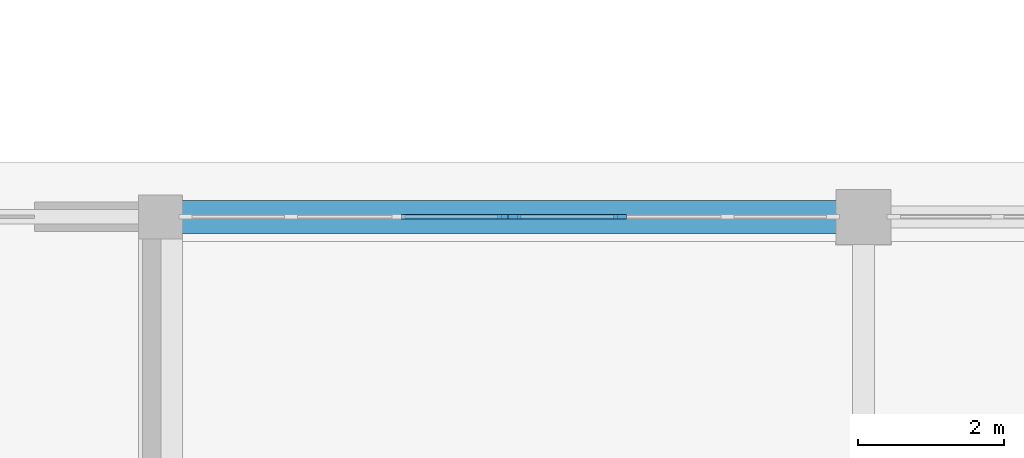
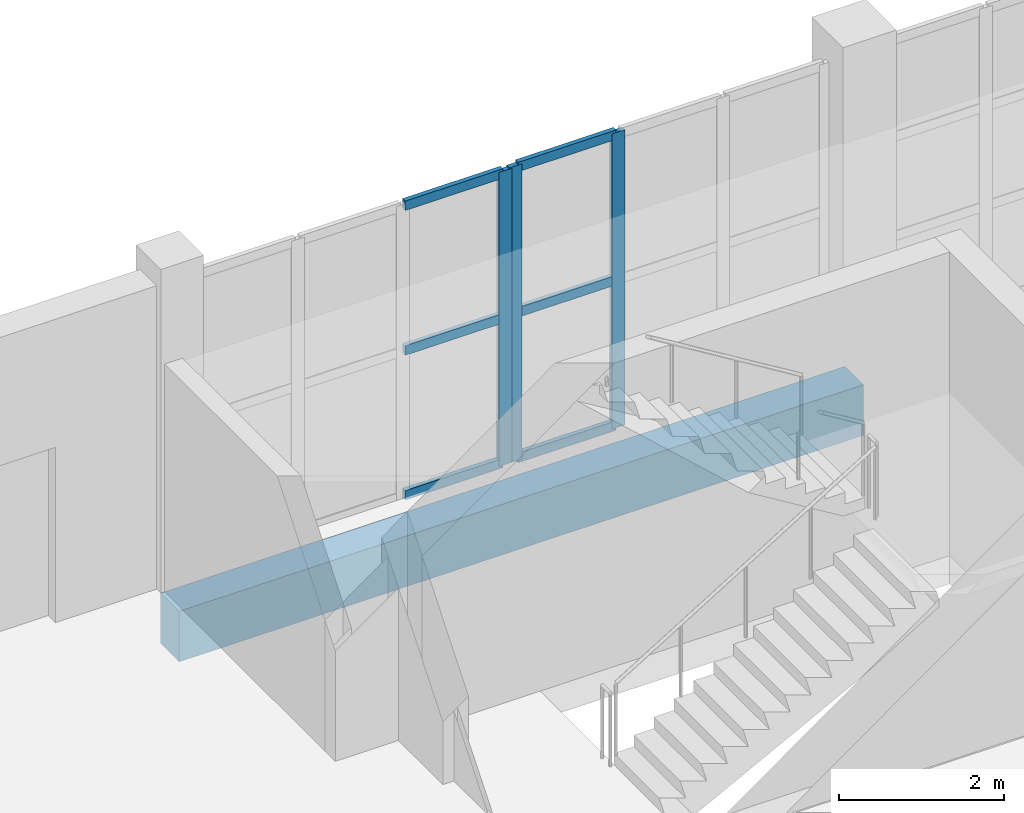
# One storey, part 27 of 121: 9 members, 1 beam, 2 elements without a shape of their own.
"""IFC4 building model written with IfcOpenShell, lengths in metres."""

from ifc_helpers import new_model, si_unit, direction, frame, origin, origin_2d, place, context, subcontext, project, spatial, rectangle, extrude, material, layer, layer_set, material_profile, profile_set, type_object, element, aggregate, save


model = new_model("IFC4")

# Units and contexts
model_context = context("Model", 3, precision=1e-05, world=origin(), true_north=direction((0.0, 1.0)))
body_context = subcontext(model_context, "Body", "Model", "MODEL_VIEW")
ifc_project = project(units=[si_unit("LENGTHUNIT", "METRE"), si_unit("AREAUNIT", "SQUARE_METRE"), si_unit("VOLUMEUNIT", "CUBIC_METRE"), si_unit("PLANEANGLEUNIT", "RADIAN"), si_unit("MASSUNIT", "GRAM", prefix="KILO")], contexts=[model_context])

# Site, building, storey
site_placement = place(None, origin())
site = spatial("IfcSite", under=ifc_project, at=site_placement, CompositionType="ELEMENT")
building_placement = place(site_placement, origin())
building = spatial("IfcBuilding", under=site, at=building_placement, Name="Zereglee Splitstone Museum", CompositionType="ELEMENT")
storey_placement = place(building_placement, origin())
storey = spatial("IfcBuildingStorey", under=building, at=storey_placement, Name="L00", CompositionType="ELEMENT", Elevation=0.0)

# Curtain wall, members
ifc_material_1 = material(Name="Triple-glazed low-E argon glass and bronze-anodised aluminium", Category="aluminium")
ifc_layer_1 = layer(ifc_material_1, 0.179931640625)
ifc_layer_set_1 = layer_set([ifc_layer_1], Name="Triple-glazed low-E argon glass and bronze-anodised aluminium")
curtain_wall_type_1 = type_object("IfcCurtainWallType", Name="CW-0441-438", PredefinedType="USERDEFINED", material=ifc_layer_set_1)
curtain_wall_1_placement = place(storey_placement, origin())
curtain_wall_1 = element("IfcCurtainWall", 1, at=curtain_wall_1_placement, inside=storey, type_object=curtain_wall_type_1, Name="Glazed Curtain Wall CW-0441-438 (L00)", ObjectType="GLAZED CURTAIN WALL", PredefinedType="USERDEFINED")
ifc_material_2 = material(Name="Thermally broken bronze-anodised aluminium", Category="aluminium")
ifc_material_profile_1 = material_profile(ifc_material_2, rectangle(XDim=0.06494140625, YDim=0.179931640625, at=origin_2d()), Name="CW MULL 65x180")
ifc_profile_set_1 = profile_set([ifc_material_profile_1], Name="Thermally broken bronze-anodised aluminium")
member_type_1 = type_object("IfcMemberType", Name="CWM-01", PredefinedType="MULLION", material=ifc_profile_set_1)
member_1_placement = place(storey_placement, frame((132.27392578125, 50.39990234375, 0.0), z_axis=(0.0, 0.0, 1.0), x_axis=(0.0, -1.0, 0.0)))
member_1 = element("IfcMember", 2, at=member_1_placement, type_object=member_type_1, Name="CW-0441-438 mullion 3", PredefinedType="MULLION", context=body_context, shape_type="SweptSolid", body=[
    extrude(rectangle(XDim=0.06494140625, YDim=0.179931640625, at=origin_2d()), origin(), (0.0, 0.0, 1.0), 4.3798828125),
])
member_2_placement = place(storey_placement, frame((130.8349609375, 50.39990234375, 0.0), z_axis=(0.0, 0.0, 1.0), x_axis=(0.0, -1.0, 0.0)))
member_2 = element("IfcMember", 3, at=member_2_placement, type_object=member_type_1, Name="CW-0441-438 mullion 4", PredefinedType="MULLION", context=body_context, shape_type="SweptSolid", body=[
    extrude(rectangle(XDim=0.06494140625, YDim=0.179931640625, at=origin_2d()), origin(), (0.0, 0.0, 1.0), 4.3798828125),
])

# Curtain wall, member
ifc_layer_2 = layer(ifc_material_1, 0.179931640625)
ifc_layer_set_2 = layer_set([ifc_layer_2], Name="Triple-glazed low-E argon glass and bronze-anodised aluminium")
curtain_wall_type_2 = type_object("IfcCurtainWallType", Name="CW-0441-436", PredefinedType="USERDEFINED", material=ifc_layer_set_2)
curtain_wall_2_placement = place(storey_placement, origin())
curtain_wall_2 = element("IfcCurtainWall", 4, at=curtain_wall_2_placement, inside=storey, type_object=curtain_wall_type_2, Name="Glazed Curtain Wall CW-0441-436 (L00)", ObjectType="GLAZED CURTAIN WALL", PredefinedType="USERDEFINED")
member_3_placement = place(storey_placement, frame((130.68994140625, 50.39990234375, 0.0), z_axis=(0.0, 0.0, 1.0), x_axis=(0.0, -1.0, 0.0)))
member_3 = element("IfcMember", 5, at=member_3_placement, type_object=member_type_1, Name="CW-0441-436 mullion 1", PredefinedType="MULLION", context=body_context, shape_type="SweptSolid", body=[
    extrude(rectangle(XDim=0.06494140625, YDim=0.179931640625, at=origin_2d()), origin(), (0.0, 0.0, 1.0), 4.360107421875),
])

# Member
ifc_material_profile_2 = material_profile(ifc_material_2, rectangle(XDim=0.06494140625, YDim=0.139892578125, at=origin_2d()), Name="CW TRAN 65x140")
ifc_profile_set_2 = profile_set([ifc_material_profile_2], Name="Thermally broken bronze-anodised aluminium")
member_type_2 = type_object("IfcMemberType", Name="CWT-01", PredefinedType="USERDEFINED", material=ifc_profile_set_2)
member_4_placement = place(storey_placement, frame((132.241455078125, 50.39990234375, 0.032470703125), z_axis=(-1.0, 0.0, 0.0), x_axis=(0.0, -1.0, 0.0)))
member_4 = element("IfcMember", 6, at=member_4_placement, type_object=member_type_2, Name="CW-0441-438 transom 3.1", ObjectType="TRANSOM", PredefinedType="USERDEFINED", context=body_context, shape_type="SweptSolid", body=[
    extrude(rectangle(XDim=0.06494140625, YDim=0.139892578125, at=origin_2d()), origin(), (0.0, 0.0, 1.0), 1.3740234375),
])

member_5_placement = place(storey_placement, frame((132.241455078125, 50.39990234375, 2.18994140625), z_axis=(-1.0, 0.0, 0.0), x_axis=(0.0, -1.0, 0.0)))
member_5 = element("IfcMember", 7, at=member_5_placement, type_object=member_type_2, Name="CW-0441-438 transom 3.2", ObjectType="TRANSOM", PredefinedType="USERDEFINED", context=body_context, shape_type="SweptSolid", body=[
    extrude(rectangle(XDim=0.06494140625, YDim=0.139892578125, at=origin_2d()), origin(), (0.0, 0.0, 1.0), 1.3740234375),
])

member_6_placement = place(storey_placement, frame((132.241455078125, 50.39990234375, 4.347412109375), z_axis=(-1.0, 0.0, 0.0), x_axis=(0.0, -1.0, 0.0)))
member_6 = element("IfcMember", 8, at=member_6_placement, type_object=member_type_2, Name="CW-0441-438 transom 3.3", ObjectType="TRANSOM", PredefinedType="USERDEFINED", context=body_context, shape_type="SweptSolid", body=[
    extrude(rectangle(XDim=0.06494140625, YDim=0.139892578125, at=origin_2d()), origin(), (0.0, 0.0, 1.0), 1.3740234375),
])

aggregate(curtain_wall_1, [member_1, member_2, member_4, member_5, member_6])

member_7_placement = place(storey_placement, frame((130.657470703125, 50.39990234375, 0.032470703125), z_axis=(-1.0, 0.0, 0.0), x_axis=(0.0, -1.0, 0.0)))
member_7 = element("IfcMember", 9, at=member_7_placement, type_object=member_type_2, Name="CW-0441-436 transom 1.1", ObjectType="TRANSOM", PredefinedType="USERDEFINED", context=body_context, shape_type="SweptSolid", body=[
    extrude(rectangle(XDim=0.06494140625, YDim=0.139892578125, at=origin_2d()), origin(), (0.0, 0.0, 1.0), 1.3740234375),
])

member_8_placement = place(storey_placement, frame((130.657470703125, 50.39990234375, 2.179931640625), z_axis=(-1.0, 0.0, 0.0), x_axis=(0.0, -1.0, 0.0)))
member_8 = element("IfcMember", 10, at=member_8_placement, type_object=member_type_2, Name="CW-0441-436 transom 1.2", ObjectType="TRANSOM", PredefinedType="USERDEFINED", context=body_context, shape_type="SweptSolid", body=[
    extrude(rectangle(XDim=0.06494140625, YDim=0.139892578125, at=origin_2d()), origin(), (0.0, 0.0, 1.0), 1.3740234375),
])

member_9_placement = place(storey_placement, frame((130.657470703125, 50.39990234375, 4.327392578125), z_axis=(-1.0, 0.0, 0.0), x_axis=(0.0, -1.0, 0.0)))
member_9 = element("IfcMember", 11, at=member_9_placement, type_object=member_type_2, Name="CW-0441-436 transom 1.3", ObjectType="TRANSOM", PredefinedType="USERDEFINED", context=body_context, shape_type="SweptSolid", body=[
    extrude(rectangle(XDim=0.06494140625, YDim=0.139892578125, at=origin_2d()), origin(), (0.0, 0.0, 1.0), 1.3740234375),
])

aggregate(curtain_wall_2, [member_3, member_7, member_8, member_9])

# Beam
ifc_material_3 = material(Name="Concrete C40/50", Category="concrete")
ifc_material_profile_3 = material_profile(ifc_material_3, rectangle(XDim=0.449951171875, YDim=0.75, at=origin_2d()), Name="RC 450x750")
ifc_profile_set_3 = profile_set([ifc_material_profile_3], Name="Concrete C40/50")
beam_type = type_object("IfcBeamType", Name="SP-01", PredefinedType="SPANDREL", material=ifc_profile_set_3)
beam_placement = place(storey_placement, frame((126.0, 50.39990234375, -0.794921875), z_axis=(1.0, 0.0, 0.0), x_axis=(0.0, 1.0, 0.0)))
element("IfcBeam", 12, at=beam_placement, inside=storey, type_object=beam_type, Name="Primary Girder L00 F (126.0-135.6)", PredefinedType="SPANDREL", context=body_context, shape_type="SweptSolid", body=[
    extrude(rectangle(XDim=0.449951171875, YDim=0.75, at=origin_2d()), origin(), (0.0, 0.0, 1.0), 9.60009765625),
])

save(model, "model.ifc")
